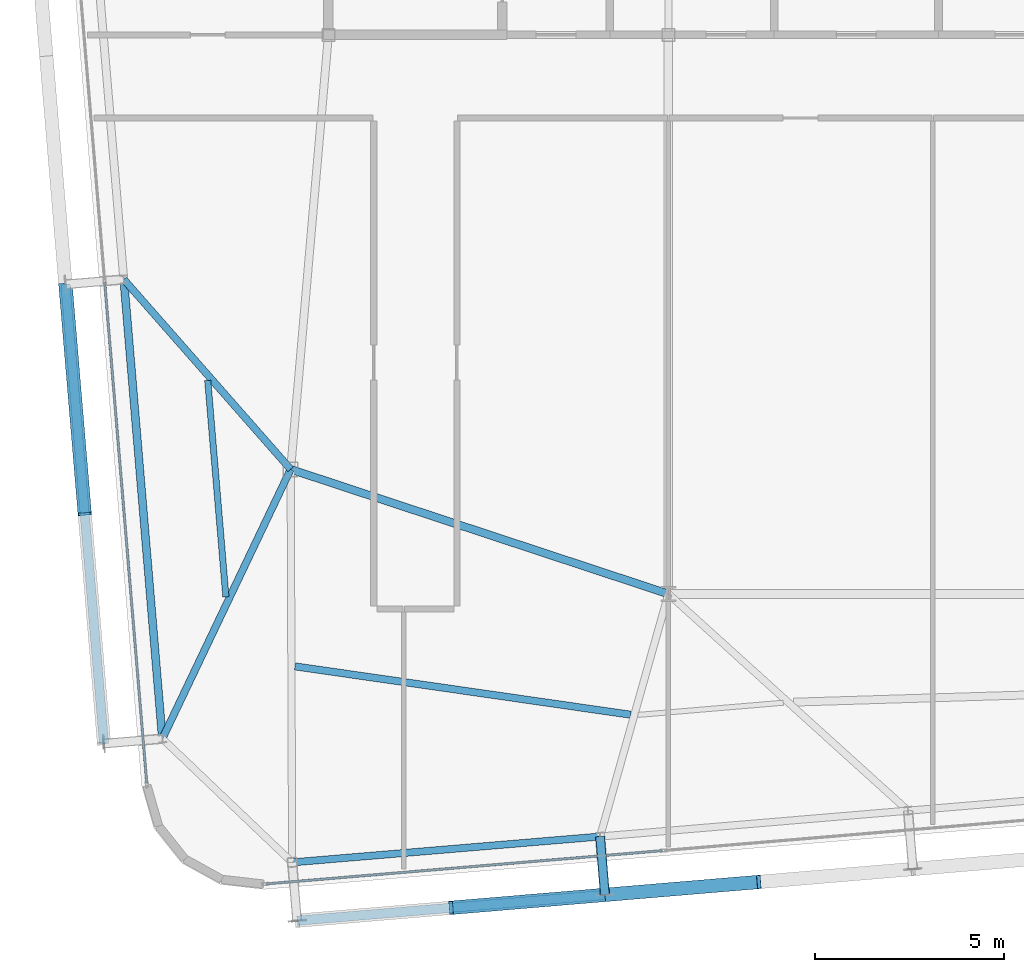
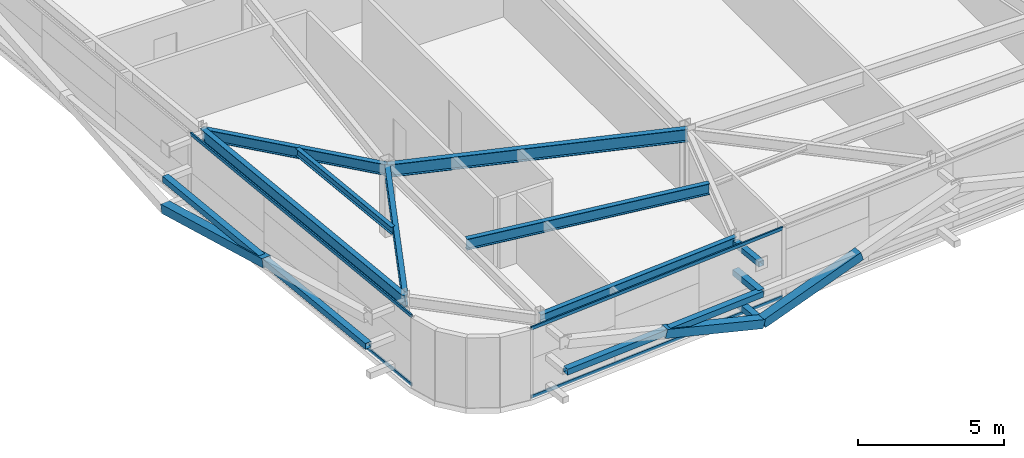
# One storey, part 8 of 37: 12 members, 7 beams, 2 elements without a shape of their own.
"""IFC4 building model written with IfcOpenShell, lengths in metres."""

from ifc_helpers import new_model, si_unit, direction, frame, origin, origin_2d, place, context, subcontext, project, spatial, hollow_rectangle, i_section, extrude, source, transform, mapped, material, layer, layer_set, material_profile, profile_set, type_object, element, aggregate, save


model = new_model("IFC4")

# Units and contexts
model_context = context("Model", 3, precision=1e-05, world=origin(), true_north=direction((0.0, 1.0)))
body_context = subcontext(model_context, "Body", "Model", "MODEL_VIEW")
ifc_project = project(units=[si_unit("LENGTHUNIT", "METRE"), si_unit("AREAUNIT", "SQUARE_METRE"), si_unit("VOLUMEUNIT", "CUBIC_METRE"), si_unit("PLANEANGLEUNIT", "RADIAN"), si_unit("MASSUNIT", "GRAM", prefix="KILO")], contexts=[model_context])

# Site, building, storey
site_placement = place(None, origin())
site = spatial("IfcSite", under=ifc_project, at=site_placement, CompositionType="ELEMENT")
building_placement = place(site_placement, origin())
building = spatial("IfcBuilding", under=site, at=building_placement, Name="Taldren Reach Tower", CompositionType="ELEMENT")
storey_placement = place(building_placement, frame((0.0, 0.0, 182.0)))
storey = spatial("IfcBuildingStorey", under=building, at=storey_placement, Name="L55", CompositionType="ELEMENT", Elevation=182.0)

# Beam
ifc_material_1 = material(Name="Steel Gr 350 (350PLUS)", Category="steel")
ifc_material_profile_1 = material_profile(ifc_material_1, i_section(OverallWidth=0.208984375, OverallDepth=0.532958984375, WebThickness=0.01025390625, FlangeThickness=0.015625, at=origin_2d()), Name="530UB92.4")
ifc_profile_set_1 = profile_set([ifc_material_profile_1], Name="Steel Gr 350 (350PLUS)")
beam_type_1 = type_object("IfcBeamType", Name="BM-UB530A", PredefinedType="BEAM", material=ifc_profile_set_1)
shared_shape_1 = source(origin(), body_context, "Body", "SweptSolid", [
    extrude(i_section(OverallWidth=0.208984375, OverallDepth=0.532958984375, WebThickness=0.01025390625, FlangeThickness=0.015625, at=origin_2d()), origin(), (0.0, 0.0, 1.0), 10.530517578125),
])
beam_1_placement = place(storey_placement, frame((18.0, 12.5, 2.66357421875), z_axis=(0.949627269203, -0.313381635689, 0.0), x_axis=(0.313381635689, 0.949627269203, 0.0)))
element("IfcBeam", 1, at=beam_1_placement, inside=storey, type_object=beam_type_1, Name="Core-spine girder L55-SP10", PredefinedType="BEAM", context=body_context, shape_type="MappedRepresentation", body=[
    mapped(shared_shape_1, transform((0.0, 0.0, 0.0), scale=1.0)),
])

# Members
ifc_material_2 = material(Name="Steel Gr 350 (C350L0)", Category="steel")
ifc_material_profile_2 = material_profile(ifc_material_2, hollow_rectangle(XDim=0.25, YDim=0.25, WallThickness=0.010009765625, at=origin_2d()), Name="250x250x10.0SHS")
ifc_profile_set_2 = profile_set([ifc_material_profile_2], Name="Steel Gr 350 (C350L0)")
member_type_1 = type_object("IfcMemberType", Name="MB-POST250", PredefinedType="POST", material=ifc_profile_set_2)
shared_shape_2 = source(origin(), body_context, "Body", "SweptSolid", [
    extrude(hollow_rectangle(XDim=0.25, YDim=0.25, WallThickness=0.010009765625, at=origin_2d()), origin(), (0.0, 0.0, 1.0), 1.550048828125),
])
for number, where, z_axis, x_axis, name in (
    (2, (26.19091796875, 2.778564453125, 0.219970703125), (0.083632013783, -0.996496706603, 0.0), (0.996496706603, 0.083632013783, 0.0), "Exoskeleton base diaphragm tie strut B4-S2 L55"),
    (3, (26.19091796875, 2.778564453125, 1.43505859375), (0.083632013783, -0.996496706603, 0.0), (0.996496706603, 0.083632013783, 0.0), "Exoskeleton mid-tier diaphragm tie B4-S2 L55"),
):
    element("IfcMember", number, at=place(storey_placement, frame(where, z_axis=z_axis, x_axis=x_axis)), inside=storey, type_object=member_type_1, Name=name, PredefinedType="POST", context=body_context, shape_type="MappedRepresentation", body=[
        mapped(shared_shape_2, transform((0.0, 0.0, 0.0), scale=1.0)),
    ])

# Beams
ifc_material_profile_3 = material_profile(ifc_material_1, i_section(OverallWidth=0.18994140625, OverallDepth=0.4541015625, WebThickness=0.008544921875, FlangeThickness=0.0126953125, at=origin_2d()), Name="460UB67.1")
ifc_profile_set_3 = profile_set([ifc_material_profile_3], Name="Steel Gr 350 (350PLUS)")
beam_type_2 = type_object("IfcBeamType", Name="SP-UB460B", PredefinedType="SPANDREL", material=ifc_profile_set_3)
shared_shape_3 = source(origin(), body_context, "Body", "SweptSolid", [
    extrude(i_section(OverallWidth=0.18994140625, OverallDepth=0.4541015625, WebThickness=0.008544921875, FlangeThickness=0.0126953125, at=origin_2d()), origin(), (0.0, 0.0, 1.0), 8.18017578125),
])
beam_2_placement = place(storey_placement, frame((18.03955078125, 2.093994140625, 2.702880859375), z_axis=(0.996492034688, 0.083687662192, 0.0), x_axis=(-0.083687662192, 0.996492034688, 0.0)))
element("IfcBeam", 4, at=beam_2_placement, inside=storey, type_object=beam_type_2, Name="Perimeter spandrel B4 S1-S2 L55", PredefinedType="SPANDREL", context=body_context, shape_type="MappedRepresentation", body=[
    mapped(shared_shape_3, transform((0.0, 0.0, 0.0), scale=1.0)),
])
ifc_material_profile_4 = material_profile(ifc_material_1, i_section(OverallWidth=0.208984375, OverallDepth=0.528076171875, WebThickness=0.009521484375, FlangeThickness=0.01318359375, at=origin_2d()), Name="530UB82.0")
ifc_profile_set_4 = profile_set([ifc_material_profile_4], Name="Steel Gr 350 (350PLUS)")
beam_type_3 = type_object("IfcBeamType", Name="SP-UB530B", PredefinedType="SPANDREL", material=ifc_profile_set_4)
shared_shape_4 = source(origin(), body_context, "Body", "SweptSolid", [
    extrude(i_section(OverallWidth=0.208984375, OverallDepth=0.528076171875, WebThickness=0.009521484375, FlangeThickness=0.01318359375, at=origin_2d()), origin(), (0.0, 0.0, 1.0), 12.199951171875),
])
beam_3_placement = place(storey_placement, frame((13.582763671875, 17.525146484375, 2.666015625), z_axis=(0.083688038336, -0.996492003099, 0.0), x_axis=(0.996492003099, 0.083688038336, 0.0)))
element("IfcBeam", 5, at=beam_3_placement, inside=storey, type_object=beam_type_3, Name="Perimeter spandrel B4 W2-W1 L55", PredefinedType="SPANDREL", context=body_context, shape_type="MappedRepresentation", body=[
    mapped(shared_shape_4, transform((0.0, 0.0, 0.0), scale=1.0)),
])
ifc_material_profile_5 = material_profile(ifc_material_1, i_section(OverallWidth=0.19091796875, OverallDepth=0.4599609375, WebThickness=0.010009765625, FlangeThickness=0.01611328125, at=origin_2d()), Name="460UB82.1")
ifc_profile_set_5 = profile_set([ifc_material_profile_5], Name="Steel Gr 350 (350PLUS)")
beam_type_4 = type_object("IfcBeamType", Name="BM-UB460A", PredefinedType="BEAM", material=ifc_profile_set_5)
shared_shape_5 = source(origin(), body_context, "Body", "SweptSolid", [
    extrude(i_section(OverallWidth=0.19091796875, OverallDepth=0.4599609375, WebThickness=0.010009765625, FlangeThickness=0.01611328125, at=origin_2d()), origin(), (0.0, 0.0, 1.0), 6.690673828125),
])
beam_4_placement = place(storey_placement, frame((18.0, 12.5, 2.699951171875), z_axis=(-0.660215677485, 0.751076067521, 0.0), x_axis=(-0.751076067521, -0.660215677485, 0.0)))
element("IfcBeam", 6, at=beam_4_placement, inside=storey, type_object=beam_type_4, Name="Primary floor girder B4-W2 L55", PredefinedType="BEAM", context=body_context, shape_type="MappedRepresentation", body=[
    mapped(shared_shape_5, transform((0.0, 0.0, 0.0), scale=1.0)),
])
shared_shape_6 = source(origin(), body_context, "Body", "SweptSolid", [
    extrude(i_section(OverallWidth=0.19091796875, OverallDepth=0.4599609375, WebThickness=0.010009765625, FlangeThickness=0.01611328125, at=origin_2d()), origin(), (0.0, 0.0, 1.0), 7.8994140625),
])
beam_5_placement = place(storey_placement, frame((18.0, 12.5, 2.699951171875), z_axis=(-0.429934780074, -0.902859947546, 0.0), x_axis=(0.902859947546, -0.429934780074, 0.0)))
element("IfcBeam", 7, at=beam_5_placement, inside=storey, type_object=beam_type_4, Name="Primary floor girder B4-W1 L55", PredefinedType="BEAM", context=body_context, shape_type="MappedRepresentation", body=[
    mapped(shared_shape_6, transform((0.0, 0.0, 0.0), scale=1.0)),
])
shared_shape_7 = source(origin(), body_context, "Body", "SweptSolid", [
    extrude(i_section(OverallWidth=0.19091796875, OverallDepth=0.4599609375, WebThickness=0.010009765625, FlangeThickness=0.01611328125, at=origin_2d()), origin(), (0.0, 0.0, 1.0), 8.9765625),
])
beam_6_placement = place(storey_placement, frame((18.115478515625, 7.283203125, 2.699951171875), z_axis=(0.989776873291, -0.142624475806, 0.0), x_axis=(0.142624475806, 0.989776873291, 0.0)))
element("IfcBeam", 8, at=beam_6_placement, inside=storey, type_object=beam_type_4, Name="Secondary floor beam B4 J1 L55", PredefinedType="BEAM", context=body_context, shape_type="MappedRepresentation", body=[
    mapped(shared_shape_7, transform((0.0, 0.0, 0.0), scale=1.0)),
])
ifc_material_3 = material(Name="Steel Gr 300 (300PLUS, 300 MPa)", Category="steel")
ifc_material_profile_6 = material_profile(ifc_material_3, i_section(OverallWidth=0.166015625, OverallDepth=0.306884765625, WebThickness=0.006591796875, FlangeThickness=0.01171875, at=origin_2d()), Name="310UB46.2")
ifc_profile_set_6 = profile_set([ifc_material_profile_6], Name="Steel Gr 300 (300PLUS, 300 MPa)")
beam_type_5 = type_object("IfcBeamType", Name="JS-UB310", PredefinedType="JOIST", material=ifc_profile_set_6)
shared_shape_8 = source(origin(), body_context, "Body", "SweptSolid", [
    extrude(i_section(OverallWidth=0.166015625, OverallDepth=0.306884765625, WebThickness=0.006591796875, FlangeThickness=0.01171875, at=origin_2d()), origin(), (0.0, 0.0, 1.0), 5.750244140625),
])
beam_7_placement = place(storey_placement, frame((16.285888671875, 9.122802734375, 2.776611328125), z_axis=(-0.083642808993, 0.996495800545, 0.0), x_axis=(-0.996495800545, -0.083642808993, 0.0)))
element("IfcBeam", 9, at=beam_7_placement, inside=storey, type_object=beam_type_5, Name="Secondary floor joist B4 J6 L55", PredefinedType="JOIST", context=body_context, shape_type="MappedRepresentation", body=[
    mapped(shared_shape_8, transform((0.0, 0.0, 0.0), scale=1.0)),
])

# Members
ifc_material_4 = material(Name="Steel Gr 450 (C450L0)", Category="steel")
ifc_material_profile_7 = material_profile(ifc_material_4, hollow_rectangle(XDim=0.219970703125, YDim=0.219970703125, WallThickness=0.00830078125, at=origin_2d()), Name="220x220x8.2SHS")
ifc_profile_set_7 = profile_set([ifc_material_profile_7], Name="Steel Gr 450 (C450L0)")
member_type_2 = type_object("IfcMemberType", Name="MB-TIE219", PredefinedType="STRUT", material=ifc_profile_set_7)
shared_shape_9 = source(origin(), body_context, "Body", "SweptSolid", [
    extrude(hollow_rectangle(XDim=0.219970703125, YDim=0.219970703125, WallThickness=0.00830078125, at=origin_2d()), origin(), (0.0, 0.0, 1.0), 1.550048828125),
])
member_1_placement = place(storey_placement, frame((26.19091796875, 2.778564453125, 2.64990234375), z_axis=(0.083632013783, -0.996496706603, 0.0), x_axis=(0.996496706603, 0.083632013783, 0.0)))
element("IfcMember", 10, at=member_1_placement, inside=storey, type_object=member_type_2, Name="Exoskeleton diaphragm tie strut B4-S2 L55", PredefinedType="STRUT", context=body_context, shape_type="MappedRepresentation", body=[
    mapped(shared_shape_9, transform((0.0, 0.0, 0.0), scale=1.0)),
])
shared_shape_10 = source(origin(), body_context, "Body", "SweptSolid", [
    extrude(hollow_rectangle(XDim=0.25, YDim=0.25, WallThickness=0.010009765625, at=origin_2d()), origin(), (0.0, 0.0, 1.0), 8.1796875),
])
member_2_placement = place(storey_placement, frame((18.16943359375, 0.549560546875, 1.43505859375), z_axis=(0.996494314327, 0.083660513465, 0.0), x_axis=(-0.083660513465, 0.996494314327, 0.0)))
element("IfcMember", 11, at=member_2_placement, inside=storey, type_object=member_type_1, Name="Exoskeleton mid-height ring chord B4-S1 L55", PredefinedType="POST", context=body_context, shape_type="MappedRepresentation", body=[
    mapped(shared_shape_10, transform((0.0, 0.0, 0.0), scale=1.0)),
])
shared_shape_11 = source(origin(), body_context, "Body", "SweptSolid", [
    extrude(hollow_rectangle(XDim=0.25, YDim=0.25, WallThickness=0.010009765625, at=origin_2d()), origin(), (0.0, 0.0, 1.0), 12.199951171875),
])
member_3_placement = place(storey_placement, frame((13.05908203125, 5.23828125, 1.43505859375), z_axis=(-0.083688038336, 0.996492003099, 0.0), x_axis=(-0.996492003099, -0.083688038336, 0.0)))
element("IfcMember", 12, at=member_3_placement, inside=storey, type_object=member_type_1, Name="Exoskeleton mid-height ring chord B4-W1 L55", PredefinedType="POST", context=body_context, shape_type="MappedRepresentation", body=[
    mapped(shared_shape_11, transform((0.0, 0.0, 0.0), scale=1.0)),
])
ifc_material_profile_8 = material_profile(ifc_material_4, hollow_rectangle(XDim=0.360107421875, YDim=0.360107421875, WallThickness=0.0126953125, at=origin_2d()), Name="360x360x12.7SHS")
ifc_profile_set_8 = profile_set([ifc_material_profile_8], Name="Steel Gr 450 (C450L0)")
member_type_3 = type_object("IfcMemberType", Name="MB-EXO356", PredefinedType="BRACE", material=ifc_profile_set_8)
shared_shape_12 = source(origin(), body_context, "Body", "SweptSolid", [
    extrude(hollow_rectangle(XDim=0.360107421875, YDim=0.360107421875, WallThickness=0.0126953125, at=origin_2d()), origin(), (0.0, 0.0, 1.0), 4.2666015625),
])
member_4_placement = place(storey_placement, frame((26.320556640625, 1.23388671875, 0.219970703125), z_axis=(0.955229159097, 0.080222312271, 0.284783486572), x_axis=(-0.083687662192, 0.996492034688, 0.0)))
element("IfcMember", 13, at=member_4_placement, inside=storey, type_object=member_type_3, Name="Exoskeleton Diagrid Brace B4-S2 L55", PredefinedType="BRACE", context=body_context, shape_type="MappedRepresentation", body=[
    mapped(shared_shape_12, transform((0.0, 0.0, 0.0), scale=1.0)),
])
shared_shape_13 = source(origin(), body_context, "Body", "SweptSolid", [
    extrude(hollow_rectangle(XDim=0.360107421875, YDim=0.360107421875, WallThickness=0.0126953125, at=origin_2d()), origin(), (0.0, 0.0, 1.0), 4.266357421875),
])
member_5_placement = place(storey_placement, frame((26.320556640625, 1.23388671875, 0.219970703125), z_axis=(-0.955224149813, -0.080226697301, 0.284799053113), x_axis=(0.083692640416, -0.996491616593, 0.0)))
element("IfcMember", 14, at=member_5_placement, inside=storey, type_object=member_type_3, Name="Exoskeleton Diagrid Brace B4-S1 L55", PredefinedType="BRACE", context=body_context, shape_type="MappedRepresentation", body=[
    mapped(shared_shape_13, transform((0.0, 0.0, 0.0), scale=1.0)),
])
shared_shape_14 = source(origin(), body_context, "Body", "SweptSolid", [
    extrude(hollow_rectangle(XDim=0.360107421875, YDim=0.360107421875, WallThickness=0.0126953125, at=origin_2d()), origin(), (0.0, 0.0, 1.0), 6.219970703125),
])
member_6_placement = place(storey_placement, frame((12.0380859375, 17.3955078125, 0.219970703125), z_axis=(0.082075564879, -0.977291924611, 0.195356330179), x_axis=(0.996492003099, 0.083688038336, 0.0)))
element("IfcMember", 15, at=member_6_placement, inside=storey, type_object=member_type_3, Name="Exoskeleton Diagrid Brace B4-W1 L55", PredefinedType="BRACE", context=body_context, shape_type="MappedRepresentation", body=[
    mapped(shared_shape_14, transform((0.0, 0.0, 0.0), scale=1.0)),
])

# Curtain wall, members
ifc_material_5 = material(Name="Aluminium and Low-E Glass Unitised System", Category="aluminium")
ifc_layer = layer(ifc_material_5, 0.159912109375)
ifc_layer_set = layer_set([ifc_layer], Name="Aluminium and Low-E Glass Unitised System")
curtain_wall_type = type_object("IfcCurtainWallType", Name="CW-SYS-5", PredefinedType="NOTDEFINED", material=ifc_layer_set)
curtain_wall_1_placement = place(storey_placement, origin())
curtain_wall_1 = element("IfcCurtainWall", 16, at=curtain_wall_1_placement, inside=storey, type_object=curtain_wall_type, Name="Unitised curtain wall CW-L55-S", PredefinedType="NOTDEFINED")
ifc_material_6 = material(Name="Anodised Aluminium 6063-T6", Category="aluminium")
ifc_material_profile_9 = material_profile(ifc_material_6, hollow_rectangle(XDim=0.06005859375, YDim=0.135009765625, WallThickness=0.00341796875, at=origin_2d()), Name="ALU-135x60x3.5RHS")
ifc_profile_set_9 = profile_set([ifc_material_profile_9], Name="Anodised Aluminium 6063-T6")
member_type_4 = type_object("IfcMemberType", Name="CW-TRN-150", PredefinedType="USERDEFINED", material=ifc_profile_set_9)
shared_shape_15 = source(origin(), body_context, "Body", "SweptSolid", [
    extrude(hollow_rectangle(XDim=0.06005859375, YDim=0.135009765625, WallThickness=0.00341796875, at=origin_2d()), origin(), (0.0, 0.0, 1.0), 10.519775390625),
])
member_7_placement = place(storey_placement, frame((17.35498046875, 1.524658203125, 0.030029296875), z_axis=(0.996492094046, 0.083686955404, 0.0), x_axis=(-0.083686955404, 0.996492094046, 0.0)))
member_7 = element("IfcMember", 17, at=member_7_placement, type_object=member_type_4, Name="CW-5 transom 1.1", ObjectType="TRANSOM", PredefinedType="USERDEFINED", context=body_context, shape_type="MappedRepresentation", body=[
    mapped(shared_shape_15, transform((0.0, 0.0, 0.0), scale=1.0)),
])
member_8_placement = place(storey_placement, frame((17.35498046875, 1.524658203125, 2.89990234375), z_axis=(0.996492094046, 0.083686955404, 0.0), x_axis=(-0.083686955404, 0.996492094046, 0.0)))
member_8 = element("IfcMember", 18, at=member_8_placement, type_object=member_type_4, Name="CW-5 transom 1.2", ObjectType="TRANSOM", PredefinedType="USERDEFINED", context=body_context, shape_type="MappedRepresentation", body=[
    mapped(shared_shape_15, transform((0.0, 0.0, 0.0), scale=1.0)),
])
aggregate(curtain_wall_1, [member_7, member_8])

curtain_wall_2_placement = place(storey_placement, origin())
curtain_wall_2 = element("IfcCurtainWall", 19, at=curtain_wall_2_placement, inside=storey, type_object=curtain_wall_type, Name="Unitised curtain wall CW-L55-W", PredefinedType="NOTDEFINED")
shared_shape_16 = source(origin(), body_context, "Body", "SweptSolid", [
    extrude(hollow_rectangle(XDim=0.06005859375, YDim=0.135009765625, WallThickness=0.00341796875, at=origin_2d()), origin(), (0.0, 0.0, 1.0), 13.295166015625),
])
member_9_placement = place(storey_placement, frame((13.077392578125, 17.44775390625, 0.030029296875), z_axis=(0.083680700004, -0.996492619364, 0.0), x_axis=(0.996492619364, 0.083680700004, 0.0)))
member_9 = element("IfcMember", 20, at=member_9_placement, type_object=member_type_4, Name="CW-5 transom 2.1", ObjectType="TRANSOM", PredefinedType="USERDEFINED", context=body_context, shape_type="MappedRepresentation", body=[
    mapped(shared_shape_16, transform((0.0, 0.0, 0.0), scale=1.0)),
])
member_10_placement = place(storey_placement, frame((13.077392578125, 17.44775390625, 2.89990234375), z_axis=(0.083680700004, -0.996492619364, 0.0), x_axis=(0.996492619364, 0.083680700004, 0.0)))
member_10 = element("IfcMember", 21, at=member_10_placement, type_object=member_type_4, Name="CW-5 transom 2.2", ObjectType="TRANSOM", PredefinedType="USERDEFINED", context=body_context, shape_type="MappedRepresentation", body=[
    mapped(shared_shape_16, transform((0.0, 0.0, 0.0), scale=1.0)),
])
aggregate(curtain_wall_2, [member_9, member_10])

save(model, "model.ifc")
